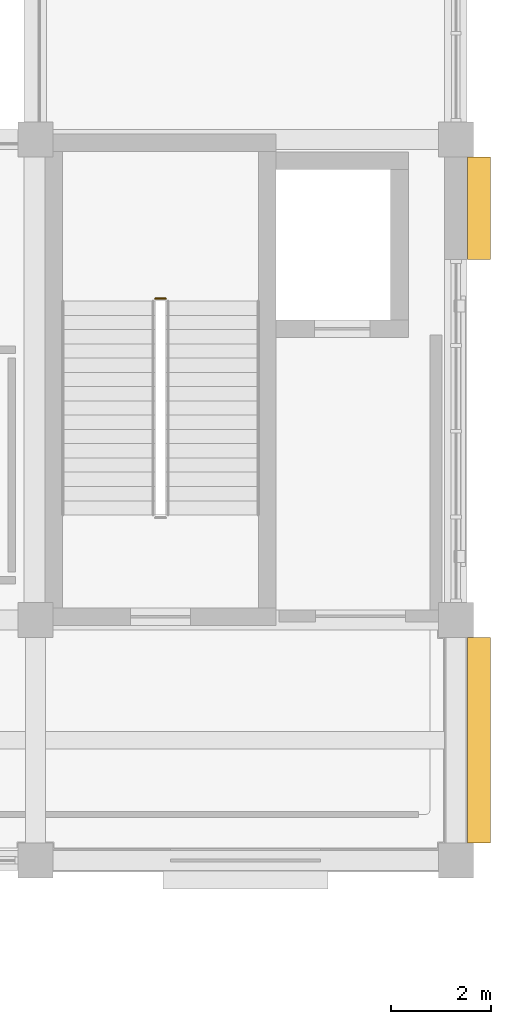
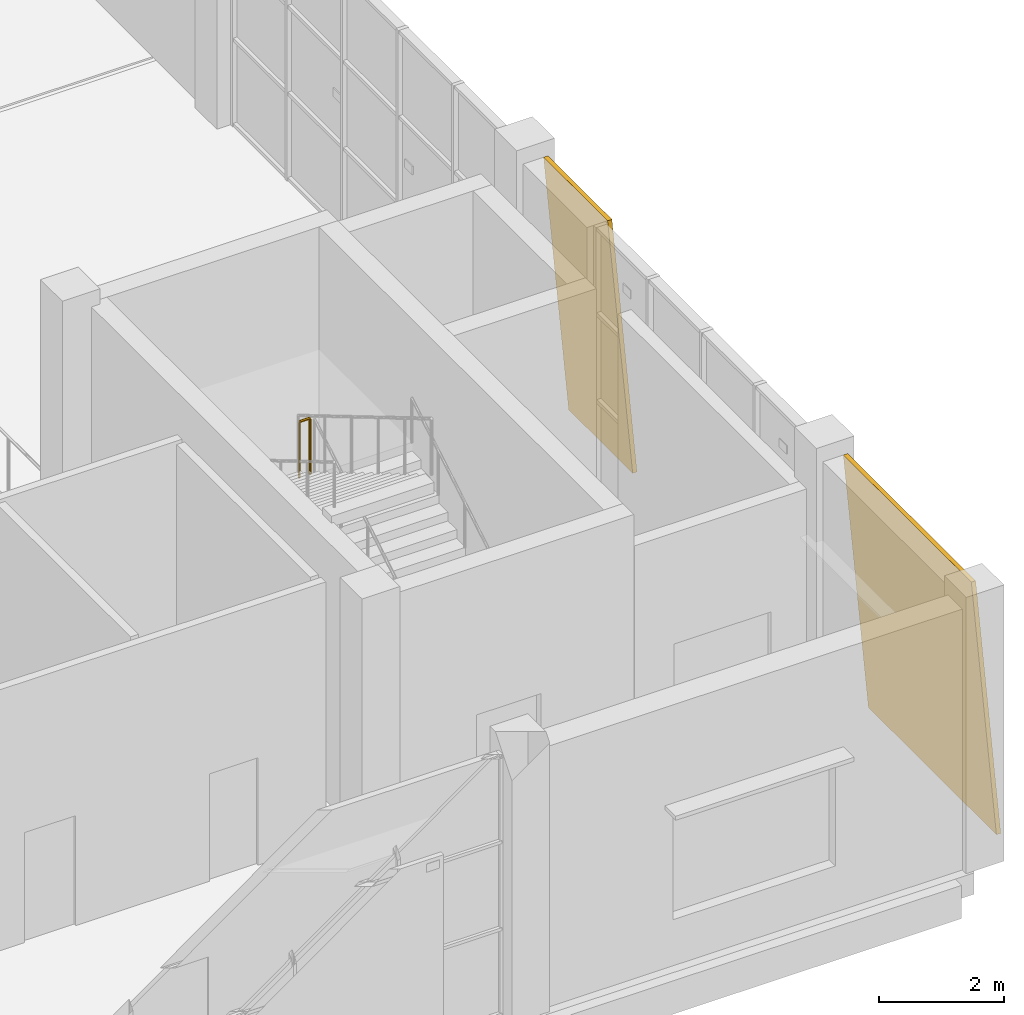
# One storey, part 70 of 72: 2 coverings, 1 railing.
"""IFC4 building model written with IfcOpenShell, lengths in metres."""

from ifc_helpers import new_model, si_unit, direction, frame, origin, origin_2d, place, context, subcontext, project, spatial, polyline, circle, outline, extrude, material, layer, layer_set, type_object, element, save


model = new_model("IFC4")

# Units and contexts
model_context = context("Model", 3, precision=1e-05, world=origin(), true_north=direction((0.0, 1.0)))
body_context = subcontext(model_context, "Body", "Model", "MODEL_VIEW")
ifc_project = project(units=[si_unit("LENGTHUNIT", "METRE"), si_unit("AREAUNIT", "SQUARE_METRE"), si_unit("VOLUMEUNIT", "CUBIC_METRE"), si_unit("PLANEANGLEUNIT", "RADIAN"), si_unit("MASSUNIT", "GRAM", prefix="KILO")], contexts=[model_context])

# Site, building, storey
site_placement = place(None, origin())
site = spatial("IfcSite", under=ifc_project, at=site_placement, CompositionType="ELEMENT")
building_placement = place(site_placement, origin())
building = spatial("IfcBuilding", under=site, at=building_placement, Name="Shalvenor Court Art Gallery", CompositionType="ELEMENT")
storey_placement = place(building_placement, frame((0.0, 0.0, 11.39990234375)))
storey = spatial("IfcBuildingStorey", under=building, at=storey_placement, Name="L02", CompositionType="ELEMENT", Elevation=11.39990234375)

# Coverings
ifc_material_1 = material(Name="Pale Mediterranean limestone cladding", Category="masonry")
ifc_layer = layer(ifc_material_1, 0.080078125, Name="Pale Mediterranean limestone cladding")
ifc_layer_set = layer_set([ifc_layer], Name="Pale Mediterranean limestone cladding")
covering_type = type_object("IfcCoveringType", Name="CLD-01", PredefinedType="CLADDING", material=ifc_layer_set)
covering_1_placement = place(storey_placement, frame((177.093994140625, 57.60009765625, 0.0), z_axis=(0.0, 0.0, 1.0), x_axis=(0.0, 1.0, 0.0)))
element("IfcCovering", 1, at=covering_1_placement, inside=storey, type_object=covering_type, Name="L02 V1 Tapered Limestone Cladding 9", PredefinedType="CLADDING", context=body_context, shape_type="SweptSolid", body=[
    extrude(outline(polyline([(0.0, 0.0), (2.0498046875, 0.0), (2.0498046875, 5.12109375), (0.0, 5.12109375), (0.0, 0.0)])), frame((0.0, 0.0, 0.0), z_axis=(0.0, -0.995884398616, 0.090632580198), x_axis=(1.0, 0.0, 0.0)), (0.0, 0.090632580198, -0.995884398616), 0.080322265625),
])
covering_2_placement = place(storey_placement, frame((177.093994140625, 45.949951171875, 0.0), z_axis=(0.0, 0.0, 1.0), x_axis=(0.0, 1.0, 0.0)))
element("IfcCovering", 2, at=covering_2_placement, inside=storey, type_object=covering_type, Name="L02 V1 Tapered Limestone Cladding 10", PredefinedType="CLADDING", context=body_context, shape_type="SweptSolid", body=[
    extrude(outline(polyline([(0.0, 0.0), (4.10009765625, 0.0), (4.10009765625, 5.12109375), (0.0, 5.12109375), (0.0, 0.0)])), frame((0.0, 0.0, 0.0), z_axis=(0.0, -0.995884398616, 0.090632580198), x_axis=(1.0, 0.0, 0.0)), (0.0, 0.090632580198, -0.995884398616), 0.080322265625),
])

# Railing
ifc_material_2 = material(Name="Painted steel post-and-rail guard", Category="steel")
railing_type = type_object("IfcRailingType", Name="GR-02", PredefinedType="GUARDRAIL", material=ifc_material_2)
railing_placement = place(storey_placement, frame((170.60009765625, 56.824951171875, 2.7001953125)))
element("IfcRailing", 3, at=railing_placement, inside=storey, type_object=railing_type, Name="L02 ST-02 Stair Guard 2", PredefinedType="GUARDRAIL", context=body_context, shape_type="SweptSolid", body=[
    extrude(circle(Radius=0.02392578125, at=origin_2d()), frame((0.0, 0.0, 1.09619140625), z_axis=(-1.0, 0.0, 0.0), x_axis=(0.0, -1.0, 0.0)), (0.0, 0.0, 1.0), 0.2001953125),
    extrude(circle(Radius=0.02099609375, at=origin_2d()), origin(), (0.0, 0.0, 1.0), 1.072021484375),
    extrude(circle(Radius=0.02099609375, at=origin_2d()), frame((-0.2001953125, 0.0, 0.0)), (0.0, 0.0, 1.0), 1.072021484375),
])

save(model, "model.ifc")
